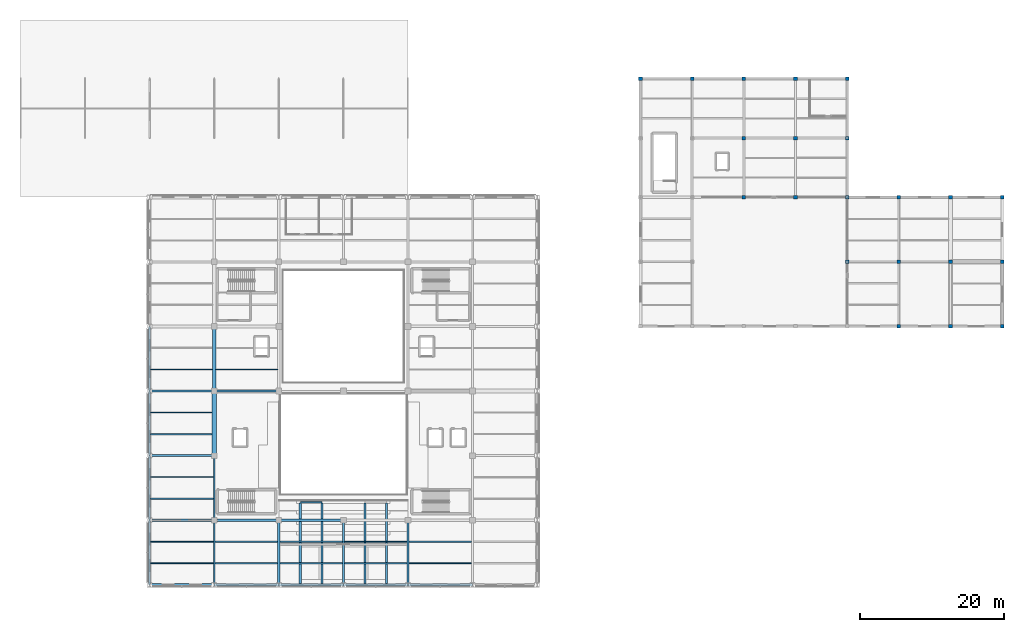
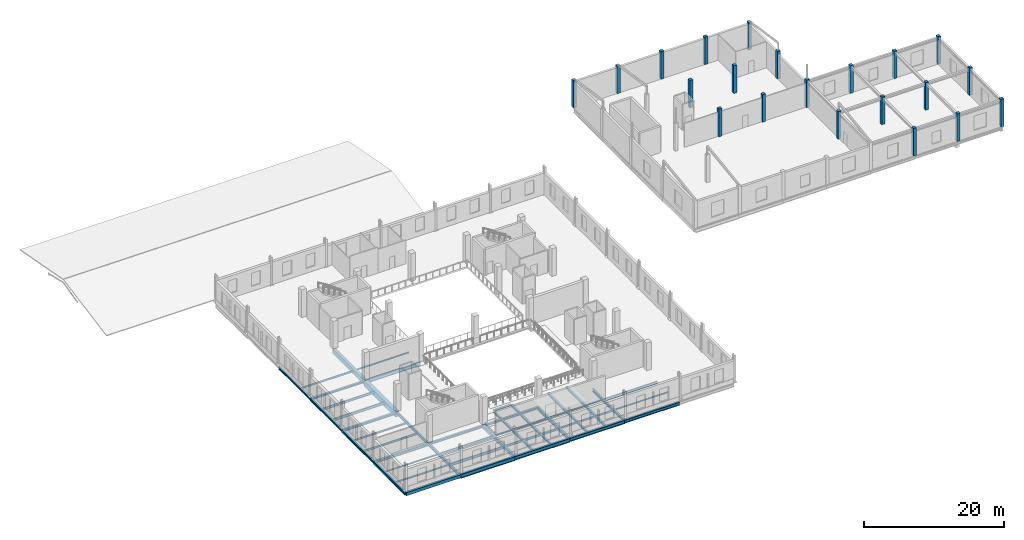
# One storey, part 5 of 35: 43 beams, 21 columns.
"""IFC4 building model written with IfcOpenShell, lengths in metres."""

from ifc_helpers import new_model, si_unit, direction, frame, origin, origin_2d, place, context, subcontext, project, spatial, rectangle, i_section, extrude, material, material_profile, profile_set, type_object, element, save


model = new_model("IFC4")

# Units and contexts
model_context = context("Model", 3, precision=1e-05, world=origin(), true_north=direction((0.0, 1.0)))
body_context = subcontext(model_context, "Body", "Model", "MODEL_VIEW")
ifc_project = project(units=[si_unit("LENGTHUNIT", "METRE"), si_unit("AREAUNIT", "SQUARE_METRE"), si_unit("VOLUMEUNIT", "CUBIC_METRE"), si_unit("PLANEANGLEUNIT", "RADIAN"), si_unit("MASSUNIT", "GRAM", prefix="KILO")], contexts=[model_context])

# Site, building, storey
site_placement = place(None, origin())
site = spatial("IfcSite", under=ifc_project, at=site_placement, CompositionType="ELEMENT")
building_placement = place(site_placement, origin())
building = spatial("IfcBuilding", under=site, at=building_placement, Name="Sundgate Opera House", CompositionType="ELEMENT")
storey_placement = place(building_placement, frame((0.0, 0.0, 21.60009765625)))
storey = spatial("IfcBuildingStorey", under=building, at=storey_placement, Name="L04", CompositionType="ELEMENT", Elevation=21.60009765625)

# Columns
ifc_material_1 = material(Name="Concrete C35/45", Category="concrete")
ifc_material_profile_1 = material_profile(ifc_material_1, rectangle(XDim=0.5, YDim=0.5, at=origin_2d()), Name="RC 500x500")
ifc_profile_set_1 = profile_set([ifc_material_profile_1], Name="Concrete C35/45")
column_type = type_object("IfcColumnType", Name="CL-RC-500", PredefinedType="COLUMN", material=ifc_profile_set_1)
for number, where, z_axis, x_axis, name in (
    (1, (95.39990234375, 103.5, 0.0), (0.0, 0.0, 1.0), (1.0, 0.0, 0.0), "L04 Column C0685"),
    (2, (102.60009765625, 103.5, 0.0), (0.0, 0.0, 1.0), (1.0, 0.0, 0.0), "L04 Column C0749"),
    (3, (109.800048828125, 87.0, 0.0), (0.0, 0.0, 1.0), (1.0, 0.0, 0.0), "L04 Column C0798"),
    (4, (109.800048828125, 95.25, 0.0), (0.0, 0.0, 1.0), (1.0, 0.0, 0.0), "L04 Column C0804"),
    (5, (109.800048828125, 103.5, 0.0), (0.0, 0.0, 1.0), (1.0, 0.0, 0.0), "L04 Column C0810"),
    (6, (117.0, 87.0, 0.0), (0.0, 0.0, 1.0), (1.0, 0.0, 0.0), "L04 Column C0862"),
    (7, (117.0, 95.25, 0.0), (0.0, 0.0, 1.0), (1.0, 0.0, 0.0), "L04 Column C0868"),
    (8, (117.0, 103.5, 0.0), (0.0, 0.0, 1.0), (1.0, 0.0, 0.0), "L04 Column C0874"),
    (9, (124.199951171875, 78.0, 0.0), (0.0, 0.0, 1.0), (1.0, 0.0, 0.0), "L04 Column C0919"),
    (10, (124.199951171875, 87.0, 0.0), (0.0, 0.0, 1.0), (1.0, 0.0, 0.0), "L04 Column C0925"),
    (11, (124.199951171875, 95.25, 0.0), (0.0, 0.0, 1.0), (1.0, 0.0, 0.0), "L04 Column C0931"),
    (12, (124.199951171875, 103.5, 0.0), (0.0, 0.0, 1.0), (1.0, 0.0, 0.0), "L04 Column C0937"),
    (13, (131.39990234375, 69.0, 0.0), (0.0, 0.0, 1.0), (1.0, 0.0, 0.0), "L04 Column C0976"),
    (14, (131.39990234375, 78.0, 0.0), (0.0, 0.0, 1.0), (1.0, 0.0, 0.0), "L04 Column C0982"),
    (15, (131.39990234375, 87.0, 0.0), (0.0, 0.0, 1.0), (1.0, 0.0, 0.0), "L04 Column C0988"),
    (16, (138.60009765625, 69.0, 0.0), (0.0, 0.0, 1.0), (1.0, 0.0, 0.0), "L04 Column C1030"),
    (17, (138.60009765625, 78.0, 0.0), (0.0, 0.0, 1.0), (1.0, 0.0, 0.0), "L04 Column C1036"),
    (18, (138.60009765625, 87.0, 0.0), (0.0, 0.0, 1.0), (1.0, 0.0, 0.0), "L04 Column C1042"),
    (19, (145.800048828125, 69.0, 0.0), (0.0, 0.0, 1.0), (1.0, 0.0, 0.0), "L04 Column C1084"),
    (20, (145.800048828125, 78.0, 0.0), (0.0, 0.0, 1.0), (1.0, 0.0, 0.0), "L04 Column C1090"),
    (21, (145.800048828125, 87.0, 0.0), (0.0, 0.0, 1.0), (1.0, 0.0, 0.0), "L04 Column C1096"),
):
    element("IfcColumn", number, at=place(storey_placement, frame(where, z_axis=z_axis, x_axis=x_axis)), inside=storey, type_object=column_type, Name=name, PredefinedType="COLUMN", context=body_context, shape_type="SweptSolid", body=[
        extrude(rectangle(XDim=0.5, YDim=0.5, at=origin_2d()), origin(), (0.0, 0.0, 1.0), 4.7998046875),
    ])

# Beams
ifc_material_2 = material(Name="Steel S355J2", Category="steel")
ifc_material_profile_2 = material_profile(ifc_material_2, i_section(OverallWidth=0.300048828125, OverallDepth=0.330078125, WebThickness=0.009521484375, FlangeThickness=0.0166015625, at=origin_2d()), Name="HEA 340")
ifc_profile_set_2 = profile_set([ifc_material_profile_2], Name="Steel S355J2")
beam_type_1 = type_object("IfcBeamType", Name="BM-GR-HEA340", PredefinedType="BEAM", material=ifc_profile_set_2)
beam_1_placement = place(storey_placement, frame((27.0, 60.0, -0.445068359375), z_axis=(1.0, 0.0, 0.0), x_axis=(0.0, 1.0, 0.0)))
element("IfcBeam", 22, at=beam_1_placement, inside=storey, type_object=beam_type_1, Name="L04 Primary E-W Girder B2956", PredefinedType="BEAM", context=body_context, shape_type="SweptSolid", body=[
    extrude(i_section(OverallWidth=0.300048828125, OverallDepth=0.330078125, WebThickness=0.009521484375, FlangeThickness=0.0166015625, at=origin_2d()), origin(), (0.0, 0.0, 1.0), 9.0),
])
ifc_material_3 = material(Name="Steel S355J2", Category="steel")
ifc_material_profile_3 = material_profile(ifc_material_3, i_section(OverallWidth=0.300048828125, OverallDepth=0.35009765625, WebThickness=0.010009765625, FlangeThickness=0.017578125, at=origin_2d()), Name="HEA 360")
ifc_profile_set_3 = profile_set([ifc_material_profile_3], Name="Steel S355J2")
beam_type_2 = type_object("IfcBeamType", Name="BM-GR-HEA360", PredefinedType="BEAM", material=ifc_profile_set_3)
beam_2_placement = place(storey_placement, frame((27.0, 60.0, -0.455078125), z_axis=(0.0, 1.0, 0.0), x_axis=(-1.0, 0.0, 0.0)))
element("IfcBeam", 23, at=beam_2_placement, inside=storey, type_object=beam_type_2, Name="L04 Primary N-S Girder B2889", PredefinedType="BEAM", context=body_context, shape_type="SweptSolid", body=[
    extrude(i_section(OverallWidth=0.300048828125, OverallDepth=0.35009765625, WebThickness=0.010009765625, FlangeThickness=0.017578125, at=origin_2d()), origin(), (0.0, 0.0, 1.0), 9.0),
])
ifc_material_4 = material(Name="Steel S355J2", Category="steel")
ifc_material_profile_4 = material_profile(ifc_material_4, i_section(OverallWidth=0.300048828125, OverallDepth=0.389892578125, WebThickness=0.010986328125, FlangeThickness=0.01904296875, at=origin_2d()), Name="HEA 400")
ifc_profile_set_4 = profile_set([ifc_material_profile_4], Name="Steel S355J2")
beam_type_3 = type_object("IfcBeamType", Name="BM-GR-HEA400", PredefinedType="BEAM", material=ifc_profile_set_4)
for number, where, z_axis, x_axis, name in (
    (24, (27.0, 51.0, -0.47509765625), (0.0, 1.0, 0.0), (-1.0, 0.0, 0.0), "L04 Primary N-S Girder B2888"),
    (25, (27.0, 51.0, -0.47509765625), (1.0, 0.0, 0.0), (0.0, 1.0, 0.0), "L04 Primary E-W Girder B2954"),
):
    element("IfcBeam", number, at=place(storey_placement, frame(where, z_axis=z_axis, x_axis=x_axis)), inside=storey, type_object=beam_type_3, Name=name, PredefinedType="BEAM", context=body_context, shape_type="SweptSolid", body=[
        extrude(i_section(OverallWidth=0.300048828125, OverallDepth=0.389892578125, WebThickness=0.010986328125, FlangeThickness=0.01904296875, at=origin_2d()), origin(), (0.0, 0.0, 1.0), 9.0),
    ])
ifc_material_5 = material(Name="Steel S355J2", Category="steel")
ifc_material_profile_5 = material_profile(ifc_material_5, i_section(OverallWidth=0.300048828125, OverallDepth=0.43994140625, WebThickness=0.011474609375, FlangeThickness=0.02099609375, at=origin_2d()), Name="HEA 450")
ifc_profile_set_5 = profile_set([ifc_material_profile_5], Name="Steel S355J2")
beam_type_4 = type_object("IfcBeamType", Name="BM-GR-HEA450", PredefinedType="BEAM", material=ifc_profile_set_5)
beam_3_placement = place(storey_placement, frame((27.0, 42.0, -0.5), z_axis=(0.0, 1.0, 0.0), x_axis=(-1.0, 0.0, 0.0)))
element("IfcBeam", 26, at=beam_3_placement, inside=storey, type_object=beam_type_4, Name="L04 Primary N-S Girder B2887", PredefinedType="BEAM", context=body_context, shape_type="SweptSolid", body=[
    extrude(i_section(OverallWidth=0.300048828125, OverallDepth=0.43994140625, WebThickness=0.011474609375, FlangeThickness=0.02099609375, at=origin_2d()), origin(), (0.0, 0.0, 1.0), 9.0),
])
ifc_material_6 = material(Name="Steel S355J2", Category="steel")
ifc_material_profile_6 = material_profile(ifc_material_6, i_section(OverallWidth=0.300048828125, OverallDepth=0.489990234375, WebThickness=0.011962890625, FlangeThickness=0.02294921875, at=origin_2d()), Name="HEA 500")
ifc_profile_set_6 = profile_set([ifc_material_profile_6], Name="Steel S355J2")
beam_type_5 = type_object("IfcBeamType", Name="BM-GR-HEA500", PredefinedType="BEAM", material=ifc_profile_set_6)
beam_4_placement = place(storey_placement, frame((27.0, 33.0, -0.525146484375), z_axis=(0.0, 1.0, 0.0), x_axis=(-1.0, 0.0, 0.0)))
element("IfcBeam", 27, at=beam_4_placement, inside=storey, type_object=beam_type_5, Name="L04 Primary N-S Girder B2886", PredefinedType="BEAM", context=body_context, shape_type="SweptSolid", body=[
    extrude(i_section(OverallWidth=0.300048828125, OverallDepth=0.489990234375, WebThickness=0.011962890625, FlangeThickness=0.02294921875, at=origin_2d()), origin(), (0.0, 0.0, 1.0), 9.0),
])
ifc_material_7 = material(Name="Steel S355J2", Category="steel")
ifc_material_profile_7 = material_profile(ifc_material_7, i_section(OverallWidth=0.300048828125, OverallDepth=0.360107421875, WebThickness=0.012451171875, FlangeThickness=0.0224609375, at=origin_2d()), Name="HEB 360")
ifc_profile_set_7 = profile_set([ifc_material_profile_7], Name="Steel S355J2")
beam_type_6 = type_object("IfcBeamType", Name="BM-GR-HEB360", PredefinedType="BEAM", material=ifc_profile_set_7)
beam_5_placement = place(storey_placement, frame((45.0, 42.0, -0.460205078125), z_axis=(1.0, 0.0, 0.0), x_axis=(0.0, 1.0, 0.0)))
element("IfcBeam", 28, at=beam_5_placement, inside=storey, type_object=beam_type_6, Name="L04 Primary E-W Girder B2950", PredefinedType="BEAM", context=body_context, shape_type="SweptSolid", body=[
    extrude(i_section(OverallWidth=0.300048828125, OverallDepth=0.360107421875, WebThickness=0.012451171875, FlangeThickness=0.0224609375, at=origin_2d()), origin(), (0.0, 0.0, 1.0), 9.0),
])
ifc_material_8 = material(Name="Steel S355J2", Category="steel")
ifc_material_profile_8 = material_profile(ifc_material_8, i_section(OverallWidth=0.300048828125, OverallDepth=0.39990234375, WebThickness=0.013427734375, FlangeThickness=0.02392578125, at=origin_2d()), Name="HEB 400")
ifc_profile_set_8 = profile_set([ifc_material_profile_8], Name="Steel S355J2")
beam_type_7 = type_object("IfcBeamType", Name="BM-GR-HEB400", PredefinedType="BEAM", material=ifc_profile_set_8)
beam_6_placement = place(storey_placement, frame((36.0, 42.0, -0.47998046875), z_axis=(1.0, 0.0, 0.0), x_axis=(0.0, 1.0, 0.0)))
element("IfcBeam", 29, at=beam_6_placement, inside=storey, type_object=beam_type_7, Name="L04 Primary E-W Girder B2949", PredefinedType="BEAM", context=body_context, shape_type="SweptSolid", body=[
    extrude(i_section(OverallWidth=0.300048828125, OverallDepth=0.39990234375, WebThickness=0.013427734375, FlangeThickness=0.02392578125, at=origin_2d()), origin(), (0.0, 0.0, 1.0), 9.0),
])
ifc_material_9 = material(Name="Steel S355J2", Category="steel")
ifc_material_profile_9 = material_profile(ifc_material_9, i_section(OverallWidth=0.300048828125, OverallDepth=0.449951171875, WebThickness=0.013916015625, FlangeThickness=0.02587890625, at=origin_2d()), Name="HEB 450")
ifc_profile_set_9 = profile_set([ifc_material_profile_9], Name="Steel S355J2")
beam_type_8 = type_object("IfcBeamType", Name="BM-GR-HEB450", PredefinedType="BEAM", material=ifc_profile_set_9)
for number, where, z_axis, x_axis, name in (
    (30, (63.0, 33.0, -0.505126953125), (0.0, 1.0, 0.0), (-1.0, 0.0, 0.0), "L04 Primary N-S Girder B2904"),
    (31, (27.0, 42.0, -0.505126953125), (1.0, 0.0, 0.0), (0.0, 1.0, 0.0), "L04 Primary E-W Girder B2948"),
):
    element("IfcBeam", number, at=place(storey_placement, frame(where, z_axis=z_axis, x_axis=x_axis)), inside=storey, type_object=beam_type_8, Name=name, PredefinedType="BEAM", context=body_context, shape_type="SweptSolid", body=[
        extrude(i_section(OverallWidth=0.300048828125, OverallDepth=0.449951171875, WebThickness=0.013916015625, FlangeThickness=0.02587890625, at=origin_2d()), origin(), (0.0, 0.0, 1.0), 9.0),
    ])
ifc_material_10 = material(Name="Steel S355J2", Category="steel")
ifc_material_profile_10 = material_profile(ifc_material_10, i_section(OverallWidth=0.300048828125, OverallDepth=0.550048828125, WebThickness=0.014892578125, FlangeThickness=0.029052734375, at=origin_2d()), Name="HEB 550")
ifc_profile_set_10 = profile_set([ifc_material_profile_10], Name="Steel S355J2")
beam_type_9 = type_object("IfcBeamType", Name="BM-GR-HEB550", PredefinedType="BEAM", material=ifc_profile_set_10)
for number, where, z_axis, x_axis, name in (
    (32, (54.0, 33.0, -0.55517578125), (0.0, 1.0, 0.0), (-1.0, 0.0, 0.0), "L04 Primary N-S Girder B2902"),
    (33, (63.0, 33.0, -0.55517578125), (1.0, 0.0, 0.0), (0.0, 1.0, 0.0), "L04 Primary E-W Girder B2946"),
):
    element("IfcBeam", number, at=place(storey_placement, frame(where, z_axis=z_axis, x_axis=x_axis)), inside=storey, type_object=beam_type_9, Name=name, PredefinedType="BEAM", context=body_context, shape_type="SweptSolid", body=[
        extrude(i_section(OverallWidth=0.300048828125, OverallDepth=0.550048828125, WebThickness=0.014892578125, FlangeThickness=0.029052734375, at=origin_2d()), origin(), (0.0, 0.0, 1.0), 9.0),
    ])
ifc_material_11 = material(Name="Steel S355J2", Category="steel")
ifc_material_profile_11 = material_profile(ifc_material_11, i_section(OverallWidth=0.300048828125, OverallDepth=0.60009765625, WebThickness=0.015380859375, FlangeThickness=0.030029296875, at=origin_2d()), Name="HEB 600")
ifc_profile_set_11 = profile_set([ifc_material_profile_11], Name="Steel S355J2")
beam_type_10 = type_object("IfcBeamType", Name="BM-GR-HEB600", PredefinedType="BEAM", material=ifc_profile_set_11)
beam_7_placement = place(storey_placement, frame((54.0, 33.0, -0.580078125), z_axis=(1.0, 0.0, 0.0), x_axis=(0.0, 1.0, 0.0)))
element("IfcBeam", 34, at=beam_7_placement, inside=storey, type_object=beam_type_10, Name="L04 Primary E-W Girder B2945", PredefinedType="BEAM", context=body_context, shape_type="SweptSolid", body=[
    extrude(i_section(OverallWidth=0.300048828125, OverallDepth=0.60009765625, WebThickness=0.015380859375, FlangeThickness=0.030029296875, at=origin_2d()), origin(), (0.0, 0.0, 1.0), 9.0),
])
ifc_material_12 = material(Name="Steel S355J2", Category="steel")
ifc_material_profile_12 = material_profile(ifc_material_12, i_section(OverallWidth=0.300048828125, OverallDepth=0.64990234375, WebThickness=0.01611328125, FlangeThickness=0.031005859375, at=origin_2d()), Name="HEB 650")
ifc_profile_set_12 = profile_set([ifc_material_profile_12], Name="Steel S355J2")
beam_type_11 = type_object("IfcBeamType", Name="BM-GR-HEB650", PredefinedType="BEAM", material=ifc_profile_set_12)
beam_8_placement = place(storey_placement, frame((45.0, 33.0, -0.60498046875), z_axis=(1.0, 0.0, 0.0), x_axis=(0.0, 1.0, 0.0)))
element("IfcBeam", 35, at=beam_8_placement, inside=storey, type_object=beam_type_11, Name="L04 Primary E-W Girder B2944", PredefinedType="BEAM", context=body_context, shape_type="SweptSolid", body=[
    extrude(i_section(OverallWidth=0.300048828125, OverallDepth=0.64990234375, WebThickness=0.01611328125, FlangeThickness=0.031005859375, at=origin_2d()), origin(), (0.0, 0.0, 1.0), 9.0),
])
ifc_material_13 = material(Name="Steel S355J2", Category="steel")
ifc_material_profile_13 = material_profile(ifc_material_13, i_section(OverallWidth=0.300048828125, OverallDepth=0.699951171875, WebThickness=0.01708984375, FlangeThickness=0.031982421875, at=origin_2d()), Name="HEB 700")
ifc_profile_set_13 = profile_set([ifc_material_profile_13], Name="Steel S355J2")
beam_type_12 = type_object("IfcBeamType", Name="BM-GR-HEB700", PredefinedType="BEAM", material=ifc_profile_set_13)
beam_9_placement = place(storey_placement, frame((36.0, 33.0, -0.630126953125), z_axis=(1.0, 0.0, 0.0), x_axis=(0.0, 1.0, 0.0)))
element("IfcBeam", 36, at=beam_9_placement, inside=storey, type_object=beam_type_12, Name="L04 Primary E-W Girder B2943", PredefinedType="BEAM", context=body_context, shape_type="SweptSolid", body=[
    extrude(i_section(OverallWidth=0.300048828125, OverallDepth=0.699951171875, WebThickness=0.01708984375, FlangeThickness=0.031982421875, at=origin_2d()), origin(), (0.0, 0.0, 1.0), 9.0),
])
ifc_material_14 = material(Name="Steel S355J2", Category="steel")
ifc_material_profile_14 = material_profile(ifc_material_14, i_section(OverallWidth=0.199951171875, OverallDepth=0.5, WebThickness=0.01025390625, FlangeThickness=0.01611328125, at=origin_2d()), Name="IPE 500")
ifc_profile_set_14 = profile_set([ifc_material_profile_14], Name="Steel S355J2")
beam_type_13 = type_object("IfcBeamType", Name="BM-GR-IPE500", PredefinedType="BEAM", material=ifc_profile_set_14)
beam_10_placement = place(storey_placement, frame((36.0, 42.0, -0.530029296875), z_axis=(0.0, 1.0, 0.0), x_axis=(-1.0, 0.0, 0.0)))
element("IfcBeam", 37, at=beam_10_placement, inside=storey, type_object=beam_type_13, Name="L04 Primary N-S Girder B2893", PredefinedType="BEAM", context=body_context, shape_type="SweptSolid", body=[
    extrude(i_section(OverallWidth=0.199951171875, OverallDepth=0.5, WebThickness=0.01025390625, FlangeThickness=0.01611328125, at=origin_2d()), origin(), (0.0, 0.0, 1.0), 9.0),
])
ifc_material_15 = material(Name="Steel S355J2", Category="steel")
ifc_material_profile_15 = material_profile(ifc_material_15, i_section(OverallWidth=0.2099609375, OverallDepth=0.550048828125, WebThickness=0.010986328125, FlangeThickness=0.01708984375, at=origin_2d()), Name="IPE 550")
ifc_profile_set_15 = profile_set([ifc_material_profile_15], Name="Steel S355J2")
beam_type_14 = type_object("IfcBeamType", Name="BM-GR-IPE550", PredefinedType="BEAM", material=ifc_profile_set_15)
beam_11_placement = place(storey_placement, frame((36.0, 33.0, -0.55517578125), z_axis=(0.0, 1.0, 0.0), x_axis=(-1.0, 0.0, 0.0)))
element("IfcBeam", 38, at=beam_11_placement, inside=storey, type_object=beam_type_14, Name="L04 Primary N-S Girder B2892", PredefinedType="BEAM", context=body_context, shape_type="SweptSolid", body=[
    extrude(i_section(OverallWidth=0.2099609375, OverallDepth=0.550048828125, WebThickness=0.010986328125, FlangeThickness=0.01708984375, at=origin_2d()), origin(), (0.0, 0.0, 1.0), 9.0),
])
ifc_material_16 = material(Name="Steel S355J2", Category="steel")
ifc_material_profile_16 = material_profile(ifc_material_16, i_section(OverallWidth=0.219970703125, OverallDepth=0.60009765625, WebThickness=0.011962890625, FlangeThickness=0.01904296875, at=origin_2d()), Name="IPE 600")
ifc_profile_set_16 = profile_set([ifc_material_profile_16], Name="Steel S355J2")
beam_type_15 = type_object("IfcBeamType", Name="BM-GR-IPE600", PredefinedType="BEAM", material=ifc_profile_set_16)
beam_12_placement = place(storey_placement, frame((36.0, 60.0, -0.580078125), z_axis=(1.0, 0.0, 0.0), x_axis=(0.0, 1.0, 0.0)))
element("IfcBeam", 39, at=beam_12_placement, inside=storey, type_object=beam_type_15, Name="L04 Primary E-W Girder B2957", PredefinedType="BEAM", context=body_context, shape_type="SweptSolid", body=[
    extrude(i_section(OverallWidth=0.219970703125, OverallDepth=0.60009765625, WebThickness=0.011962890625, FlangeThickness=0.01904296875, at=origin_2d()), origin(), (0.0, 0.0, 1.0), 9.0),
])
ifc_material_17 = material(Name="Steel S355J2", Category="steel")
ifc_material_profile_17 = material_profile(ifc_material_17, i_section(OverallWidth=0.1201171875, OverallDepth=0.239990234375, WebThickness=0.006103515625, FlangeThickness=0.009765625, at=origin_2d()), Name="IPE 240")
ifc_profile_set_17 = profile_set([ifc_material_profile_17], Name="Steel S355J2")
beam_type_16 = type_object("IfcBeamType", Name="BM-JS-IPE240", PredefinedType="JOIST", material=ifc_profile_set_17)
beam_13_placement = place(storey_placement, frame((27.14990234375, 39.0, -0.400146484375), z_axis=(1.0, 0.0, 0.0), x_axis=(0.0, 1.0, 0.0)))
element("IfcBeam", 40, at=beam_13_placement, inside=storey, type_object=beam_type_16, Name="L04 Secondary Floor Joist B3004", PredefinedType="JOIST", context=body_context, shape_type="SweptSolid", body=[
    extrude(i_section(OverallWidth=0.1201171875, OverallDepth=0.239990234375, WebThickness=0.006103515625, FlangeThickness=0.009765625, at=origin_2d()), origin(), (0.0, 0.0, 1.0), 8.7451171875),
])
beam_14_placement = place(storey_placement, frame((63.14990234375, 36.0, -0.400146484375), z_axis=(1.0, 0.0, 0.0), x_axis=(0.0, 1.0, 0.0)))
element("IfcBeam", 41, at=beam_14_placement, inside=storey, type_object=beam_type_16, Name="L04 Secondary Floor Joist B3011", PredefinedType="JOIST", context=body_context, shape_type="SweptSolid", body=[
    extrude(i_section(OverallWidth=0.1201171875, OverallDepth=0.239990234375, WebThickness=0.006103515625, FlangeThickness=0.009765625, at=origin_2d()), origin(), (0.0, 0.0, 1.0), 8.7001953125),
])
beam_15_placement = place(storey_placement, frame((36.25, 63.0, -0.400146484375), z_axis=(1.0, 0.0, 0.0), x_axis=(0.0, 1.0, 0.0)))
element("IfcBeam", 42, at=beam_15_placement, inside=storey, type_object=beam_type_16, Name="L04 Secondary Floor Joist B3025", PredefinedType="JOIST", context=body_context, shape_type="SweptSolid", body=[
    extrude(i_section(OverallWidth=0.1201171875, OverallDepth=0.239990234375, WebThickness=0.006103515625, FlangeThickness=0.009765625, at=origin_2d()), origin(), (0.0, 0.0, 1.0), 8.60009765625),
])
ifc_material_18 = material(Name="Steel S355J2", Category="steel")
ifc_material_profile_18 = material_profile(ifc_material_18, i_section(OverallWidth=0.135009765625, OverallDepth=0.27001953125, WebThickness=0.006591796875, FlangeThickness=0.01025390625, at=origin_2d()), Name="IPE 270")
ifc_profile_set_18 = profile_set([ifc_material_profile_18], Name="Steel S355J2")
beam_type_17 = type_object("IfcBeamType", Name="BM-JS-IPE270", PredefinedType="JOIST", material=ifc_profile_set_18)
beam_16_placement = place(storey_placement, frame((27.14990234375, 36.0, -0.4150390625), z_axis=(1.0, 0.0, 0.0), x_axis=(0.0, 1.0, 0.0)))
element("IfcBeam", 43, at=beam_16_placement, inside=storey, type_object=beam_type_17, Name="L04 Secondary Floor Joist B3003", PredefinedType="JOIST", context=body_context, shape_type="SweptSolid", body=[
    extrude(i_section(OverallWidth=0.135009765625, OverallDepth=0.27001953125, WebThickness=0.006591796875, FlangeThickness=0.01025390625, at=origin_2d()), origin(), (0.0, 0.0, 1.0), 8.7451171875),
])
beam_17_placement = place(storey_placement, frame((54.14990234375, 39.0, -0.4150390625), z_axis=(1.0, 0.0, 0.0), x_axis=(0.0, 1.0, 0.0)))
element("IfcBeam", 44, at=beam_17_placement, inside=storey, type_object=beam_type_17, Name="L04 Secondary Floor Joist B3010", PredefinedType="JOIST", context=body_context, shape_type="SweptSolid", body=[
    extrude(i_section(OverallWidth=0.135009765625, OverallDepth=0.27001953125, WebThickness=0.006591796875, FlangeThickness=0.01025390625, at=origin_2d()), origin(), (0.0, 0.0, 1.0), 8.7001953125),
])
ifc_material_19 = material(Name="Steel S355J2", Category="steel")
ifc_material_profile_19 = material_profile(ifc_material_19, i_section(OverallWidth=0.14990234375, OverallDepth=0.300048828125, WebThickness=0.007080078125, FlangeThickness=0.0107421875, at=origin_2d()), Name="IPE 300")
ifc_profile_set_19 = profile_set([ifc_material_profile_19], Name="Steel S355J2")
beam_type_18 = type_object("IfcBeamType", Name="BM-JS-IPE300", PredefinedType="JOIST", material=ifc_profile_set_19)
beam_18_placement = place(storey_placement, frame((54.14990234375, 36.0, -0.43017578125), z_axis=(1.0, 0.0, 0.0), x_axis=(0.0, 1.0, 0.0)))
element("IfcBeam", 45, at=beam_18_placement, inside=storey, type_object=beam_type_18, Name="L04 Secondary Floor Joist B3009", PredefinedType="JOIST", context=body_context, shape_type="SweptSolid", body=[
    extrude(i_section(OverallWidth=0.14990234375, OverallDepth=0.300048828125, WebThickness=0.007080078125, FlangeThickness=0.0107421875, at=origin_2d()), origin(), (0.0, 0.0, 1.0), 8.7001953125),
])
beam_19_placement = place(storey_placement, frame((27.14990234375, 48.0, -0.43017578125), z_axis=(1.0, 0.0, 0.0), x_axis=(0.0, 1.0, 0.0)))
element("IfcBeam", 46, at=beam_19_placement, inside=storey, type_object=beam_type_18, Name="L04 Secondary Floor Joist B3016", PredefinedType="JOIST", context=body_context, shape_type="SweptSolid", body=[
    extrude(i_section(OverallWidth=0.14990234375, OverallDepth=0.300048828125, WebThickness=0.007080078125, FlangeThickness=0.0107421875, at=origin_2d()), origin(), (0.0, 0.0, 1.0), 8.75),
])
beam_20_placement = place(storey_placement, frame((27.14990234375, 63.0, -0.43017578125), z_axis=(1.0, 0.0, 0.0), x_axis=(0.0, 1.0, 0.0)))
element("IfcBeam", 47, at=beam_20_placement, inside=storey, type_object=beam_type_18, Name="L04 Secondary Floor Joist B3023", PredefinedType="JOIST", context=body_context, shape_type="SweptSolid", body=[
    extrude(i_section(OverallWidth=0.14990234375, OverallDepth=0.300048828125, WebThickness=0.007080078125, FlangeThickness=0.0107421875, at=origin_2d()), origin(), (0.0, 0.0, 1.0), 8.60009765625),
])
ifc_material_20 = material(Name="Steel S355J2", Category="steel")
ifc_material_profile_20 = material_profile(ifc_material_20, i_section(OverallWidth=0.159912109375, OverallDepth=0.330078125, WebThickness=0.007568359375, FlangeThickness=0.011474609375, at=origin_2d()), Name="IPE 330")
ifc_profile_set_20 = profile_set([ifc_material_profile_20], Name="Steel S355J2")
beam_type_19 = type_object("IfcBeamType", Name="BM-JS-IPE330", PredefinedType="JOIST", material=ifc_profile_set_20)
beam_21_placement = place(storey_placement, frame((45.175048828125, 39.0, -0.445068359375), z_axis=(1.0, 0.0, 0.0), x_axis=(0.0, 1.0, 0.0)))
element("IfcBeam", 48, at=beam_21_placement, inside=storey, type_object=beam_type_19, Name="L04 Secondary Floor Joist B3008", PredefinedType="JOIST", context=body_context, shape_type="SweptSolid", body=[
    extrude(i_section(OverallWidth=0.159912109375, OverallDepth=0.330078125, WebThickness=0.007568359375, FlangeThickness=0.011474609375, at=origin_2d()), origin(), (0.0, 0.0, 1.0), 8.675048828125),
])
beam_22_placement = place(storey_placement, frame((27.14990234375, 45.0, -0.445068359375), z_axis=(1.0, 0.0, 0.0), x_axis=(0.0, 1.0, 0.0)))
element("IfcBeam", 49, at=beam_22_placement, inside=storey, type_object=beam_type_19, Name="L04 Secondary Floor Joist B3015", PredefinedType="JOIST", context=body_context, shape_type="SweptSolid", body=[
    extrude(i_section(OverallWidth=0.159912109375, OverallDepth=0.330078125, WebThickness=0.007568359375, FlangeThickness=0.011474609375, at=origin_2d()), origin(), (0.0, 0.0, 1.0), 8.75),
])
ifc_material_21 = material(Name="Steel S355J2", Category="steel")
ifc_material_profile_21 = material_profile(ifc_material_21, i_section(OverallWidth=0.169921875, OverallDepth=0.360107421875, WebThickness=0.008056640625, FlangeThickness=0.0126953125, at=origin_2d()), Name="IPE 360")
ifc_profile_set_21 = profile_set([ifc_material_profile_21], Name="Steel S355J2")
beam_type_20 = type_object("IfcBeamType", Name="BM-JS-IPE360", PredefinedType="JOIST", material=ifc_profile_set_21)
beam_23_placement = place(storey_placement, frame((45.175048828125, 36.0, -0.460205078125), z_axis=(1.0, 0.0, 0.0), x_axis=(0.0, 1.0, 0.0)))
element("IfcBeam", 50, at=beam_23_placement, inside=storey, type_object=beam_type_20, Name="L04 Secondary Floor Joist B3007", PredefinedType="JOIST", context=body_context, shape_type="SweptSolid", body=[
    extrude(i_section(OverallWidth=0.169921875, OverallDepth=0.360107421875, WebThickness=0.008056640625, FlangeThickness=0.0126953125, at=origin_2d()), origin(), (0.0, 0.0, 1.0), 8.675048828125),
])
ifc_material_22 = material(Name="Steel S355J2", Category="steel")
ifc_material_profile_22 = material_profile(ifc_material_22, i_section(OverallWidth=0.179931640625, OverallDepth=0.39990234375, WebThickness=0.008544921875, FlangeThickness=0.013427734375, at=origin_2d()), Name="IPE 400")
ifc_profile_set_22 = profile_set([ifc_material_profile_22], Name="Steel S355J2")
beam_type_21 = type_object("IfcBeamType", Name="BM-JS-IPE400", PredefinedType="JOIST", material=ifc_profile_set_22)
beam_24_placement = place(storey_placement, frame((36.10498046875, 39.0, -0.47998046875), z_axis=(1.0, 0.0, 0.0), x_axis=(0.0, 1.0, 0.0)))
element("IfcBeam", 51, at=beam_24_placement, inside=storey, type_object=beam_type_21, Name="L04 Secondary Floor Joist B3006", PredefinedType="JOIST", context=body_context, shape_type="SweptSolid", body=[
    extrude(i_section(OverallWidth=0.179931640625, OverallDepth=0.39990234375, WebThickness=0.008544921875, FlangeThickness=0.013427734375, at=origin_2d()), origin(), (0.0, 0.0, 1.0), 8.719970703125),
])
beam_25_placement = place(storey_placement, frame((27.14990234375, 57.0, -0.47998046875), z_axis=(1.0, 0.0, 0.0), x_axis=(0.0, 1.0, 0.0)))
element("IfcBeam", 52, at=beam_25_placement, inside=storey, type_object=beam_type_21, Name="L04 Secondary Floor Joist B3020", PredefinedType="JOIST", context=body_context, shape_type="SweptSolid", body=[
    extrude(i_section(OverallWidth=0.179931640625, OverallDepth=0.39990234375, WebThickness=0.008544921875, FlangeThickness=0.013427734375, at=origin_2d()), origin(), (0.0, 0.0, 1.0), 8.550048828125),
])
ifc_material_23 = material(Name="Steel S355J2", Category="steel")
ifc_material_profile_23 = material_profile(ifc_material_23, i_section(OverallWidth=0.18994140625, OverallDepth=0.449951171875, WebThickness=0.009521484375, FlangeThickness=0.0146484375, at=origin_2d()), Name="IPE 450")
ifc_profile_set_23 = profile_set([ifc_material_profile_23], Name="Steel S355J2")
beam_type_22 = type_object("IfcBeamType", Name="BM-JS-IPE450", PredefinedType="JOIST", material=ifc_profile_set_23)
beam_26_placement = place(storey_placement, frame((36.10498046875, 36.0, -0.505126953125), z_axis=(1.0, 0.0, 0.0), x_axis=(0.0, 1.0, 0.0)))
element("IfcBeam", 53, at=beam_26_placement, inside=storey, type_object=beam_type_22, Name="L04 Secondary Floor Joist B3005", PredefinedType="JOIST", context=body_context, shape_type="SweptSolid", body=[
    extrude(i_section(OverallWidth=0.18994140625, OverallDepth=0.449951171875, WebThickness=0.009521484375, FlangeThickness=0.0146484375, at=origin_2d()), origin(), (0.0, 0.0, 1.0), 8.719970703125),
])
beam_27_placement = place(storey_placement, frame((63.14990234375, 39.0, -0.505126953125), z_axis=(1.0, 0.0, 0.0), x_axis=(0.0, 1.0, 0.0)))
element("IfcBeam", 54, at=beam_27_placement, inside=storey, type_object=beam_type_22, Name="L04 Secondary Floor Joist B3012", PredefinedType="JOIST", context=body_context, shape_type="SweptSolid", body=[
    extrude(i_section(OverallWidth=0.18994140625, OverallDepth=0.449951171875, WebThickness=0.009521484375, FlangeThickness=0.0146484375, at=origin_2d()), origin(), (0.0, 0.0, 1.0), 8.7001953125),
])
beam_28_placement = place(storey_placement, frame((27.14990234375, 54.0, -0.505126953125), z_axis=(1.0, 0.0, 0.0), x_axis=(0.0, 1.0, 0.0)))
element("IfcBeam", 55, at=beam_28_placement, inside=storey, type_object=beam_type_22, Name="L04 Secondary Floor Joist B3019", PredefinedType="JOIST", context=body_context, shape_type="SweptSolid", body=[
    extrude(i_section(OverallWidth=0.18994140625, OverallDepth=0.449951171875, WebThickness=0.009521484375, FlangeThickness=0.0146484375, at=origin_2d()), origin(), (0.0, 0.0, 1.0), 8.550048828125),
])
ifc_material_24 = material(Name="Concrete C35/45", Category="concrete")
ifc_material_profile_24 = material_profile(ifc_material_24, rectangle(XDim=0.35009765625, YDim=0.550048828125, at=origin_2d()), Name="RC 350x550")
ifc_profile_set_24 = profile_set([ifc_material_profile_24], Name="Concrete C35/45")
beam_type_23 = type_object("IfcBeamType", Name="BM-RC-350x550", PredefinedType="BEAM", material=ifc_profile_set_24)
for number, where, z_axis, x_axis, name in (
    (56, (45.0, 33.0, -0.55517578125), (0.0, 1.0, 0.0), (-1.0, 0.0, 0.0), "L04 Primary N-S Girder B2898"),
    (57, (27.0, 33.0, -0.55517578125), (1.0, 0.0, 0.0), (0.0, 1.0, 0.0), "L04 Primary E-W Girder B2942"),
):
    element("IfcBeam", number, at=place(storey_placement, frame(where, z_axis=z_axis, x_axis=x_axis)), inside=storey, type_object=beam_type_23, Name=name, PredefinedType="BEAM", context=body_context, shape_type="SweptSolid", body=[
        extrude(rectangle(XDim=0.35009765625, YDim=0.550048828125, at=origin_2d()), origin(), (0.0, 0.0, 1.0), 9.0),
    ])
ifc_material_25 = material(Name="Concrete C40/50", Category="concrete")
ifc_material_profile_25 = material_profile(ifc_material_25, rectangle(XDim=0.5, YDim=0.75, at=origin_2d()), Name="RC 500x750")
ifc_profile_set_25 = profile_set([ifc_material_profile_25], Name="Concrete C40/50")
beam_type_24 = type_object("IfcBeamType", Name="BM-RC-500x750", PredefinedType="BEAM", material=ifc_profile_set_25)
beam_29_placement = place(storey_placement, frame((36.0, 60.0, -0.655029296875), z_axis=(0.0, 1.0, 0.0), x_axis=(-1.0, 0.0, 0.0)))
element("IfcBeam", 58, at=beam_29_placement, inside=storey, type_object=beam_type_24, Name="L04 Primary N-S Girder B2895", PredefinedType="BEAM", context=body_context, shape_type="SweptSolid", body=[
    extrude(rectangle(XDim=0.5, YDim=0.75, at=origin_2d()), origin(), (0.0, 0.0, 1.0), 9.0),
])
ifc_material_26 = material(Name="Concrete C40/50", Category="concrete")
ifc_material_profile_26 = material_profile(ifc_material_26, rectangle(XDim=0.60009765625, YDim=0.949951171875, at=origin_2d()), Name="RC 600x950")
ifc_profile_set_26 = profile_set([ifc_material_profile_26], Name="Concrete C40/50")
beam_type_25 = type_object("IfcBeamType", Name="BM-RC-600x950", PredefinedType="BEAM", material=ifc_profile_set_26)
beam_30_placement = place(storey_placement, frame((36.0, 51.0, -0.755126953125), z_axis=(0.0, 1.0, 0.0), x_axis=(-1.0, 0.0, 0.0)))
element("IfcBeam", 59, at=beam_30_placement, inside=storey, type_object=beam_type_25, Name="L04 Primary N-S Girder B2894", PredefinedType="BEAM", context=body_context, shape_type="SweptSolid", body=[
    extrude(rectangle(XDim=0.60009765625, YDim=0.949951171875, at=origin_2d()), origin(), (0.0, 0.0, 1.0), 9.0),
])
ifc_material_27 = material(Name="Steel S355J2", Category="steel")
ifc_material_profile_27 = material_profile(ifc_material_27, i_section(OverallWidth=0.260009765625, OverallDepth=0.260009765625, WebThickness=0.010009765625, FlangeThickness=0.017578125, at=origin_2d()), Name="HEB 260")
ifc_profile_set_27 = profile_set([ifc_material_profile_27], Name="Steel S355J2")
beam_type_26 = type_object("IfcBeamType", Name="BM-RK-HEB260", PredefinedType="USERDEFINED", material=ifc_profile_set_27)
beam_31_placement = place(storey_placement, frame((48.0, 44.5, -0.41015625), z_axis=(1.0, 0.0, 0.0), x_axis=(0.0, 1.0, 0.0)))
element("IfcBeam", 60, at=beam_31_placement, inside=storey, type_object=beam_type_26, Name="L04 Balcony Tip Trimmer Raker B3347", ObjectType="RAKER", PredefinedType="USERDEFINED", context=body_context, shape_type="SweptSolid", body=[
    extrude(i_section(OverallWidth=0.260009765625, OverallDepth=0.260009765625, WebThickness=0.010009765625, FlangeThickness=0.017578125, at=origin_2d()), origin(), (0.0, 0.0, 1.0), 3.0),
])
ifc_material_28 = material(Name="Steel S355J2", Category="steel")
ifc_material_profile_28 = material_profile(ifc_material_28, i_section(OverallWidth=0.300048828125, OverallDepth=0.340087890625, WebThickness=0.011962890625, FlangeThickness=0.021484375, at=origin_2d()), Name="HEB 340")
ifc_profile_set_28 = profile_set([ifc_material_profile_28], Name="Steel S355J2")
beam_type_27 = type_object("IfcBeamType", Name="BM-RK-HEB340", PredefinedType="USERDEFINED", material=ifc_profile_set_28)
for number, where, z_axis, x_axis, name in (
    (61, (48.0, 33.0, -0.4501953125), (0.0, 1.0, 0.0), (-1.0, 0.0, 0.0), "L04 Balcony Cantilever Raker B3343"),
    (62, (51.0, 33.0, -0.4501953125), (0.0, 1.0, 0.0), (-1.0, 0.0, 0.0), "L04 Balcony Cantilever Raker B3344"),
    (63, (57.0, 33.0, -0.4501953125), (0.0, 1.0, 0.0), (-1.0, 0.0, 0.0), "L04 Balcony Cantilever Raker B3345"),
    (64, (60.0, 33.0, -0.4501953125), (0.0, 1.0, 0.0), (-1.0, 0.0, 0.0), "L04 Balcony Cantilever Raker B3346"),
):
    element("IfcBeam", number, at=place(storey_placement, frame(where, z_axis=z_axis, x_axis=x_axis)), inside=storey, type_object=beam_type_27, Name=name, ObjectType="RAKER", PredefinedType="USERDEFINED", context=body_context, shape_type="SweptSolid", body=[
        extrude(i_section(OverallWidth=0.300048828125, OverallDepth=0.340087890625, WebThickness=0.011962890625, FlangeThickness=0.021484375, at=origin_2d()), origin(), (0.0, 0.0, 1.0), 11.3701171875),
    ])

save(model, "model.ifc")
